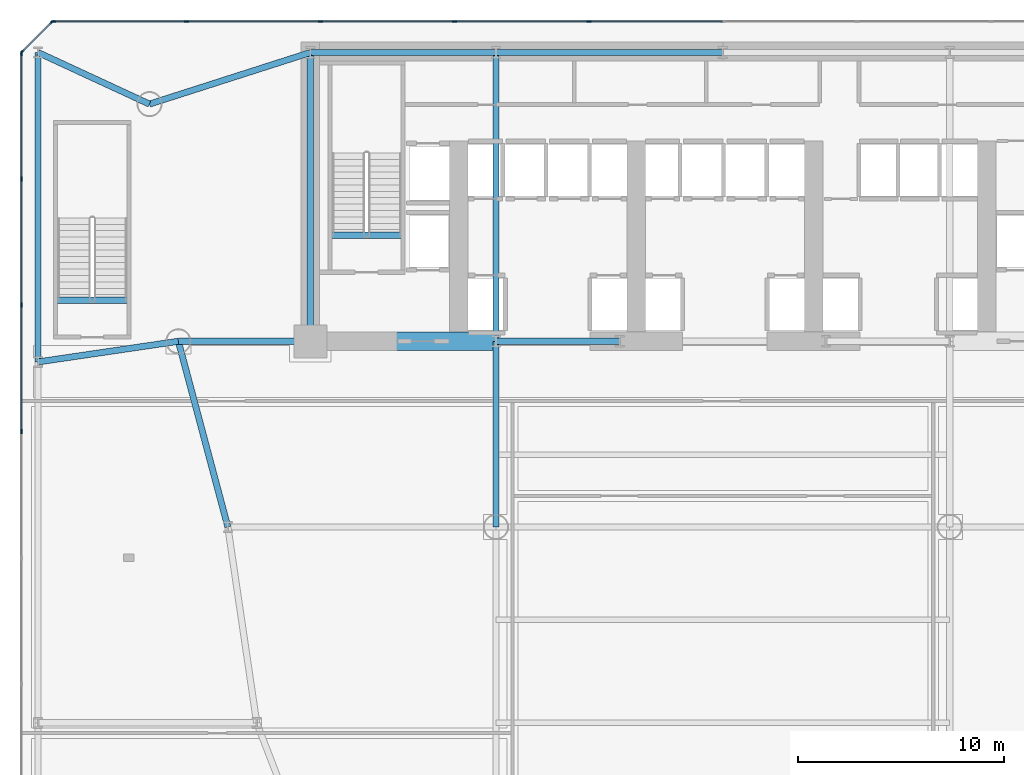
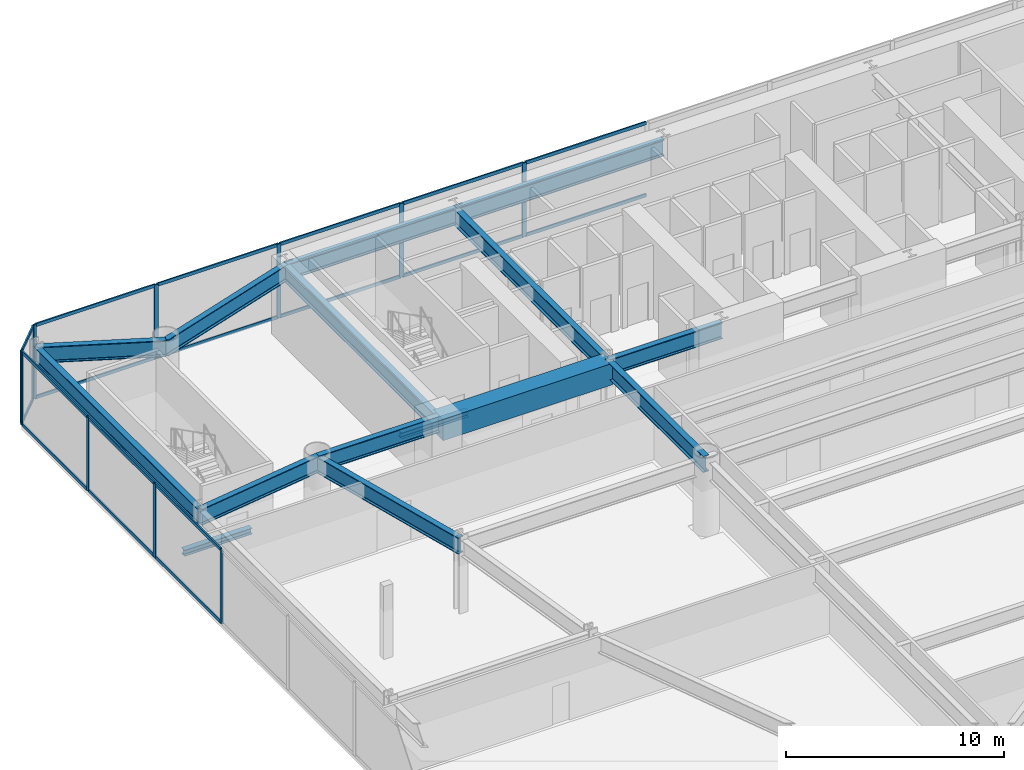
# One storey, part 7 of 24: 29 members, 15 beams, 3 elements without a shape of their own.
"""IFC4 building model written with IfcOpenShell, lengths in metres."""

import ifcopenshell
import ifcopenshell.guid

model = None  # the IFC model being written
_history = None  # IfcOwnerHistory: only IFC2X3 demands one
_inside = {}  # id of a spatial element -> (the spatial element, [elements in it])
_under = {}  # id of a project, library or spatial element -> (it, [spatial elements below it])
_declared = {}  # id of a project -> (the project, [libraries it declares])
_typed = {}  # id of a type object -> (the type object, [elements of that type])
_made_of = {}  # id of a material, layer set ... -> (it, [elements and type objects made of it])


def new_model(schema):
    """Start an empty IFC model of exactly this schema.

    Asked for "IFC4X3", IfcOpenShell would pick the latest addendum, in which some entities
    have other attributes; the version numbers below select the first issue.
    IFC2X3 requires an IfcOwnerHistory on every rooted entity: one is made here for all.
    """
    global model, _history
    if schema == "IFC4X3":
        model = ifcopenshell.file(schema_version=(4, 3, 0, 0))
    else:
        model = ifcopenshell.file(schema=schema)
    _inside.clear()
    _under.clear()
    _declared.clear()
    _typed.clear()
    _made_of.clear()
    _history = None
    if model.schema == "IFC2X3":
        org = make("IfcOrganization", Name="unknown")
        user = make(
            "IfcPersonAndOrganization",
            ThePerson=make("IfcPerson", FamilyName="unknown"),
            TheOrganization=org,
        )
        app = make(
            "IfcApplication",
            ApplicationDeveloper=org,
            Version="unknown",
            ApplicationFullName="unknown",
            ApplicationIdentifier="unknown",
        )
        _history = make(
            "IfcOwnerHistory",
            OwningUser=user,
            OwningApplication=app,
            ChangeAction="ADDED",
            CreationDate=0,
        )
    return model


def make(cls, **values):
    """One entity of the class cls with the attributes given. An attribute that is None is left unset."""
    return model.create_entity(
        cls, **{name: value for name, value in values.items() if value is not None}
    )


def rooted(cls, **values):
    """An entity with a GlobalId (a new one), such as an element, a storey or a relation."""
    return make(cls, GlobalId=ifcopenshell.guid.new(), OwnerHistory=_history, **values)


def si_unit(unit_type, name, prefix=None):
    """IfcSIUnit, for example si_unit("LENGTHUNIT", "METRE", prefix="MILLI")."""
    return make("IfcSIUnit", UnitType=unit_type, Prefix=prefix, Name=name)


def assignment(units):
    """IfcUnitAssignment: the units of a project."""
    return None if units is None else make("IfcUnitAssignment", Units=units)


def point(xyz):
    """IfcCartesianPoint."""
    return None if xyz is None else make("IfcCartesianPoint", Coordinates=xyz)


def direction(xyz):
    """IfcDirection."""
    return None if xyz is None else make("IfcDirection", DirectionRatios=xyz)


def frame(location, z_axis=None, x_axis=None):
    """IfcAxis2Placement3D, a coordinate frame: its origin and axes. An axis left out is left unset."""
    return make(
        "IfcAxis2Placement3D",
        Location=point(location),
        Axis=direction(z_axis),
        RefDirection=direction(x_axis),
    )


def frame_2d(location, x_axis=None):
    """IfcAxis2Placement2D, a coordinate frame in the plane: its origin and x axis."""
    return make(
        "IfcAxis2Placement2D", Location=point(location), RefDirection=direction(x_axis)
    )


def origin():
    """The frame at (0, 0, 0) with its axes left unset."""
    return frame((0.0, 0.0, 0.0))


def origin_2d():
    """The frame at (0, 0) in the plane with its x axis left unset."""
    return frame_2d((0.0, 0.0))


def place(relative_to, where):
    """IfcLocalPlacement: puts the frame where relative to a parent placement (None: the world)."""
    return make(
        "IfcLocalPlacement", PlacementRelTo=relative_to, RelativePlacement=where
    )


def context(
    kind, dimensions, precision=None, world=None, true_north=None, identifier=None
):
    """IfcGeometricRepresentationContext, for example the 3D "Model" context."""
    return make(
        "IfcGeometricRepresentationContext",
        ContextIdentifier=identifier,
        ContextType=kind,
        CoordinateSpaceDimension=dimensions,
        Precision=precision,
        WorldCoordinateSystem=world,
        TrueNorth=true_north,
    )


def subcontext(parent, identifier, kind, view, scale=None):
    """IfcGeometricRepresentationSubContext, for example "Body" below "Model"."""
    return make(
        "IfcGeometricRepresentationSubContext",
        ContextIdentifier=identifier,
        ContextType=kind,
        ParentContext=parent,
        TargetScale=scale,
        TargetView=view,
    )


def project(units=None, contexts=None):
    """IfcProject with its units and contexts."""
    return rooted(
        "IfcProject",
        Name="project",
        RepresentationContexts=contexts,
        UnitsInContext=assignment(units),
    )


def spatial(cls, under=None, at=None, **own):
    """A site, building, storey or space (cls), placed at a placement, below another one or the project."""
    s = rooted(cls, ObjectPlacement=at, **own)
    if under is not None:
        _under.setdefault(under.id(), (under, []))[1].append(s)
    return s


def profile(cls, at=None, kind="AREA", **sizes):
    """A parametric profile (cls). Its sizes go by their IFC names, for example OverallWidth=200.0."""
    return make(cls, ProfileType=kind, Position=at, **sizes)


def rectangle(**sizes):
    """IfcRectangleProfileDef."""
    return profile("IfcRectangleProfileDef", **sizes)


def i_section(**sizes):
    """IfcIShapeProfileDef."""
    return profile("IfcIShapeProfileDef", **sizes)


def extrude(swept, where, along, depth):
    """IfcExtrudedAreaSolid: the profile swept, set in the frame where, extruded along a direction by depth."""
    return make(
        "IfcExtrudedAreaSolid",
        SweptArea=swept,
        Position=where,
        ExtrudedDirection=direction(along),
        Depth=depth,
    )


def shape(context_of_items, identifier, shape_type, items):
    """IfcShapeRepresentation: the items that make up one representation, for example the "Body"."""
    return make(
        "IfcShapeRepresentation",
        ContextOfItems=context_of_items,
        RepresentationIdentifier=identifier,
        RepresentationType=shape_type,
        Items=items,
    )


def source(mapping_origin, context_of_items, identifier, shape_type, items):
    """IfcRepresentationMap: a shape defined once, which mapped items show again and again."""
    return make(
        "IfcRepresentationMap",
        MappingOrigin=mapping_origin,
        MappedRepresentation=shape(context_of_items, identifier, shape_type, items),
    )


def transform(
    local_origin,
    x_axis=None,
    y_axis=None,
    z_axis=None,
    scale=None,
    scale2=None,
    scale3=None,
    uniform=True,
):
    """IfcCartesianTransformationOperator3D, or its non-uniform kind. x_axis, y_axis, z_axis: its Axis1, 2, 3."""
    if uniform:
        return make(
            "IfcCartesianTransformationOperator3D",
            Axis1=direction(x_axis),
            Axis2=direction(y_axis),
            LocalOrigin=point(local_origin),
            Scale=scale,
            Axis3=direction(z_axis),
        )
    return make(
        "IfcCartesianTransformationOperator3DnonUniform",
        Axis1=direction(x_axis),
        Axis2=direction(y_axis),
        LocalOrigin=point(local_origin),
        Scale=scale,
        Axis3=direction(z_axis),
        Scale2=scale2,
        Scale3=scale3,
    )


def mapped(mapping_source, mapping_target):
    """IfcMappedItem: shows the shape of a source again, moved by a transform."""
    return make(
        "IfcMappedItem", MappingSource=mapping_source, MappingTarget=mapping_target
    )


def material(Name=None, Category=None):
    """IfcMaterial."""
    return make("IfcMaterial", Name=Name, Category=Category)


def layer(
    of_material, thickness, ventilated=None, Name=None, Category=None, Priority=None
):
    """IfcMaterialLayer: one layer of a wall or slab, of a material (None: an air gap)."""
    return make(
        "IfcMaterialLayer",
        Material=of_material,
        LayerThickness=thickness,
        IsVentilated=ventilated,
        Name=Name,
        Category=Category,
        Priority=Priority,
    )


def layer_set(layers, Name=None):
    """IfcMaterialLayerSet."""
    return make("IfcMaterialLayerSet", MaterialLayers=layers, LayerSetName=Name)


def material_profile(
    of_material, cross_section, Name=None, Category=None, Priority=None
):
    """IfcMaterialProfile: a cross section and its material."""
    return make(
        "IfcMaterialProfile",
        Name=Name,
        Material=of_material,
        Profile=cross_section,
        Priority=Priority,
        Category=Category,
    )


def profile_set(profiles, Name=None, composite=None):
    """IfcMaterialProfileSet."""
    return make(
        "IfcMaterialProfileSet",
        Name=Name,
        MaterialProfiles=profiles,
        CompositeProfile=composite,
    )


def made_of(thing, what):
    """Note that an element or type object is made of a material, layer set ...; save() writes the relation."""
    if what is not None:
        _made_of.setdefault(what.id(), (what, []))[1].append(thing)
    return thing


def type_object(cls, material=None, **own):
    """A type object (cls), such as IfcWallType, which elements share."""
    return made_of(rooted(cls, **own), material)


def element(
    cls,
    number,
    at=None,
    inside=None,
    cuts=None,
    type_object=None,
    material=None,
    context=None,
    identifier="Body",
    shape_type=None,
    held_by="IfcProductDefinitionShape",
    body=None,
    shapes=None,
    **own,
):
    """One element of the class cls, such as IfcWall. Its Tag is "e" and its number.

    at: its placement. inside: the storey or other place that contains it. cuts: it is an
    opening in that element (IfcRelVoidsElement). A single representation is given by context,
    identifier, shape_type and body (its items); several are given by shapes. held_by: the class
    of the entity that holds the representations. save() writes the other relations.
    """
    e = rooted(cls, Tag="e%d" % number, ObjectPlacement=at, **own)
    if body is not None:
        shapes = [shape(context, identifier, shape_type, body)]
    if shapes is not None:
        e.Representation = make(held_by, Representations=shapes)
    if inside is not None:
        _inside.setdefault(inside.id(), (inside, []))[1].append(e)
    if cuts is not None:
        rooted(
            "IfcRelVoidsElement", RelatingBuildingElement=cuts, RelatedOpeningElement=e
        )
    if type_object is not None:
        _typed.setdefault(type_object.id(), (type_object, []))[1].append(e)
    return made_of(e, material)


def aggregate(whole, parts):
    """IfcRelAggregates: a whole, such as a stair, and the parts it consists of."""
    return rooted("IfcRelAggregates", RelatingObject=whole, RelatedObjects=parts)


def save(model, path):
    """Write the relations noted so far, then the file.

    IfcRelAggregates (storeys below a building ...), IfcRelContainedInSpatialStructure (elements
    in a storey), IfcRelDefinesByType, IfcRelAssociatesMaterial and IfcRelDeclares: one each for
    every whole, place, type object, material and project.
    """
    for whole, parts in _under.values():
        aggregate(whole, parts)
    for where, things in _inside.values():
        rooted(
            "IfcRelContainedInSpatialStructure",
            RelatedElements=things,
            RelatingStructure=where,
        )
    for kind, things in _typed.values():
        rooted("IfcRelDefinesByType", RelatedObjects=things, RelatingType=kind)
    for what, things in _made_of.values():
        rooted("IfcRelAssociatesMaterial", RelatedObjects=things, RelatingMaterial=what)
    for by, libraries in _declared.values():
        rooted("IfcRelDeclares", RelatingContext=by, RelatedDefinitions=libraries)
    model.write(path)


model = new_model("IFC4")

# Units and contexts
model_context = context("Model", 3, precision=1e-05, world=origin(), true_north=direction((0.0, 1.0)))
body_context = subcontext(model_context, "Body", "Model", "MODEL_VIEW")
ifc_project = project(units=[si_unit("LENGTHUNIT", "METRE"), si_unit("AREAUNIT", "SQUARE_METRE"), si_unit("VOLUMEUNIT", "CUBIC_METRE"), si_unit("PLANEANGLEUNIT", "RADIAN"), si_unit("MASSUNIT", "GRAM", prefix="KILO")], contexts=[model_context])

# Site, building, storey
site_placement = place(None, origin())
site = spatial("IfcSite", under=ifc_project, at=site_placement, CompositionType="ELEMENT")
building_placement = place(site_placement, origin())
building = spatial("IfcBuilding", under=site, at=building_placement, Name="Vaeldorn Concourse Tower", CompositionType="ELEMENT")
storey_placement = place(building_placement, frame((0.0, 0.0, 10.0)))
storey = spatial("IfcBuildingStorey", under=building, at=storey_placement, Name="L02", CompositionType="ELEMENT", Elevation=10.0)

# Beams
ifc_material_1 = material(Name="Concrete C60/75", Category="concrete")
ifc_material_profile_1 = material_profile(ifc_material_1, rectangle(XDim=0.89990234375, YDim=1.199951171875, at=origin_2d()), Name="RC 900x1200")
ifc_profile_set_1 = profile_set([ifc_material_profile_1], Name="Concrete C60/75")
beam_type_1 = type_object("IfcBeamType", Name="BM-CB-RC900", PredefinedType="BEAM", material=ifc_profile_set_1)
shared_shape_1 = source(origin(), body_context, "Body", "SweptSolid", [
    extrude(rectangle(XDim=0.89990234375, YDim=1.199951171875, at=origin_2d()), origin(), (0.0, 0.0, 1.0), 9.0),
])
beam_1_placement = place(storey_placement, frame((14.0, 36.5, 3.52001953125), z_axis=(1.0, 0.0, 0.0), x_axis=(0.0, 1.0, 0.0)))
element("IfcBeam", 1, at=beam_1_placement, inside=storey, type_object=beam_type_1, Name="Core Coupling Beam L02-1", PredefinedType="BEAM", context=body_context, shape_type="MappedRepresentation", body=[
    mapped(shared_shape_1, transform((0.0, 0.0, 0.0), scale=1.0)),
])
ifc_material_2 = material(Name="Steel S355", Category="steel")
ifc_material_profile_2 = material_profile(ifc_material_2, i_section(OverallWidth=0.300048828125, OverallDepth=0.340087890625, WebThickness=0.011962890625, FlangeThickness=0.021484375, FilletRadius=0.027099609375, at=origin_2d()), Name="HEB 340")
ifc_profile_set_2 = profile_set([ifc_material_profile_2], Name="Steel S355")
beam_type_2 = type_object("IfcBeamType", Name="BM-ST-TRIM", PredefinedType="BEAM", material=ifc_profile_set_2)
shared_shape_2 = source(origin(), body_context, "Body", "SweptSolid", [
    extrude(i_section(OverallWidth=0.300048828125, OverallDepth=0.340087890625, WebThickness=0.011962890625, FlangeThickness=0.021484375, FilletRadius=0.027099609375, at=origin_2d()), origin(), (0.0, 0.0, 1.0), 3.590087890625),
])
for number, where, z_axis, x_axis, name in (
    (2, (14.929931640625, 41.639892578125, -0.449951171875), (1.0, 0.0, 0.0), (0.0, 1.0, 0.0), "Stair Landing Trimmer Beam ST-1 L02"),
    (3, (1.6298828125, 38.489990234375, -0.449951171875), (1.0, 0.0, 0.0), (0.0, 1.0, 0.0), "Stair Landing Trimmer Beam ST-3 L02"),
):
    element("IfcBeam", number, at=place(storey_placement, frame(where, z_axis=z_axis, x_axis=x_axis)), inside=storey, type_object=beam_type_2, Name=name, PredefinedType="BEAM", context=body_context, shape_type="MappedRepresentation", body=[
        mapped(shared_shape_2, transform((0.0, 0.0, 0.0), scale=1.0)),
    ])
ifc_material_profile_3 = material_profile(ifc_material_2, i_section(OverallWidth=0.302001953125, OverallDepth=0.909912109375, WebThickness=0.02099609375, FlangeThickness=0.0400390625, FilletRadius=0.030029296875, at=origin_2d()), Name="HEM 900")
ifc_profile_set_3 = profile_set([ifc_material_profile_3], Name="Steel S355")
beam_type_3 = type_object("IfcBeamType", Name="BM-PG-HEM900", PredefinedType="BEAM", material=ifc_profile_set_3)
shared_shape_3 = source(origin(), body_context, "Body", "SweptSolid", [
    extrude(i_section(OverallWidth=0.302001953125, OverallDepth=0.909912109375, WebThickness=0.02099609375, FlangeThickness=0.0400390625, FilletRadius=0.030029296875, at=origin_2d()), origin(), (0.0, 0.0, 1.0), 6.0),
])
beam_2_placement = place(storey_placement, frame((23.0, 36.5, 3.6650390625), z_axis=(1.0, 0.0, 0.0), x_axis=(0.0, 1.0, 0.0)))
element("IfcBeam", 4, at=beam_2_placement, inside=storey, type_object=beam_type_3, Name="Beam BM-L02-C-FC2-C-FC3", PredefinedType="BEAM", context=body_context, shape_type="MappedRepresentation", body=[
    mapped(shared_shape_3, transform((0.0, 0.0, 0.0), scale=1.0)),
])
shared_shape_4 = source(origin(), body_context, "Body", "SweptSolid", [
    extrude(i_section(OverallWidth=0.302001953125, OverallDepth=0.909912109375, WebThickness=0.02099609375, FlangeThickness=0.0400390625, FilletRadius=0.030029296875, at=origin_2d()), origin(), (0.0, 0.0, 1.0), 9.0),
])
for number, where, z_axis, x_axis, name in (
    (5, (14.0, 50.5, 3.6650390625), (1.0, 0.0, 0.0), (0.0, 1.0, 0.0), "Beam BM-L02-C-HC1-C-HC2"),
    (6, (23.0, 27.5, 3.6650390625), (0.0, 1.0, 0.0), (-1.0, 0.0, 0.0), "Beam BM-L02-C-TW1-C-FC2"),
):
    element("IfcBeam", number, at=place(storey_placement, frame(where, z_axis=z_axis, x_axis=x_axis)), inside=storey, type_object=beam_type_3, Name=name, PredefinedType="BEAM", context=body_context, shape_type="MappedRepresentation", body=[
        mapped(shared_shape_4, transform((0.0, 0.0, 0.0), scale=1.0)),
    ])
shared_shape_5 = source(origin(), body_context, "Body", "SweptSolid", [
    extrude(i_section(OverallWidth=0.302001953125, OverallDepth=0.909912109375, WebThickness=0.02099609375, FlangeThickness=0.0400390625, FilletRadius=0.030029296875, at=origin_2d()), origin(), (0.0, 0.0, 1.0), 11.0),
])
beam_3_placement = place(storey_placement, frame((23.0, 50.5, 3.6650390625), z_axis=(1.0, 0.0, 0.0), x_axis=(0.0, 1.0, 0.0)))
element("IfcBeam", 7, at=beam_3_placement, inside=storey, type_object=beam_type_3, Name="Beam BM-L02-C-HC2-C-HC3", PredefinedType="BEAM", context=body_context, shape_type="MappedRepresentation", body=[
    mapped(shared_shape_5, transform((0.0, 0.0, 0.0), scale=1.0)),
])
shared_shape_6 = source(origin(), body_context, "Body", "SweptSolid", [
    extrude(i_section(OverallWidth=0.302001953125, OverallDepth=0.909912109375, WebThickness=0.02099609375, FlangeThickness=0.0400390625, FilletRadius=0.030029296875, at=origin_2d()), origin(), (0.0, 0.0, 1.0), 14.0),
])
for number, where, z_axis, x_axis, name in (
    (8, (14.0, 36.5, 3.6650390625), (0.0, 1.0, 0.0), (-1.0, 0.0, 0.0), "Beam BM-L02-C-FC1-C-HC1"),
    (9, (23.0, 36.5, 3.6650390625), (0.0, 1.0, 0.0), (-1.0, 0.0, 0.0), "Beam BM-L02-C-FC2-C-HC2"),
):
    element("IfcBeam", number, at=place(storey_placement, frame(where, z_axis=z_axis, x_axis=x_axis)), inside=storey, type_object=beam_type_3, Name=name, PredefinedType="BEAM", context=body_context, shape_type="MappedRepresentation", body=[
        mapped(shared_shape_6, transform((0.0, 0.0, 0.0), scale=1.0)),
    ])
shared_shape_7 = source(origin(), body_context, "Body", "SweptSolid", [
    extrude(i_section(OverallWidth=0.302001953125, OverallDepth=0.909912109375, WebThickness=0.02099609375, FlangeThickness=0.0400390625, FilletRadius=0.030029296875, at=origin_2d()), origin(), (0.0, 0.0, 1.0), 15.0),
])
beam_4_placement = place(storey_placement, frame((0.800048828125, 35.5, 3.6650390625), z_axis=(0.0, 1.0, 0.0), x_axis=(-1.0, 0.0, 0.0)))
element("IfcBeam", 10, at=beam_4_placement, inside=storey, type_object=beam_type_3, Name="Beam BM-L02-C-PW3-C-PW4", PredefinedType="BEAM", context=body_context, shape_type="MappedRepresentation", body=[
    mapped(shared_shape_7, transform((0.0, 0.0, 0.0), scale=1.0)),
])
shared_shape_8 = source(origin(), body_context, "Body", "SweptSolid", [
    extrude(i_section(OverallWidth=0.302001953125, OverallDepth=0.909912109375, WebThickness=0.02099609375, FlangeThickness=0.0400390625, FilletRadius=0.030029296875, at=origin_2d()), origin(), (0.0, 0.0, 1.0), 6.873291015625),
])
beam_5_placement = place(storey_placement, frame((0.800048828125, 35.5, 3.6650390625), z_axis=(0.989359285749, 0.145492967882, 0.0), x_axis=(-0.145492967882, 0.989359285749, 0.0)))
element("IfcBeam", 11, at=beam_5_placement, inside=storey, type_object=beam_type_3, Name="Beam BM-L02-C-PW3-C-NW2", PredefinedType="BEAM", context=body_context, shape_type="MappedRepresentation", body=[
    mapped(shared_shape_8, transform((0.0, 0.0, 0.0), scale=1.0)),
])
shared_shape_9 = source(origin(), body_context, "Body", "SweptSolid", [
    extrude(i_section(OverallWidth=0.302001953125, OverallDepth=0.909912109375, WebThickness=0.02099609375, FlangeThickness=0.0400390625, FilletRadius=0.030029296875, at=origin_2d()), origin(), (0.0, 0.0, 1.0), 6.39990234375),
])
beam_6_placement = place(storey_placement, frame((7.60009765625, 36.5, 3.6650390625), z_axis=(1.0, 0.0, 0.0), x_axis=(0.0, 1.0, 0.0)))
element("IfcBeam", 12, at=beam_6_placement, inside=storey, type_object=beam_type_3, Name="Beam BM-L02-C-NW2-C-FC1", PredefinedType="BEAM", context=body_context, shape_type="MappedRepresentation", body=[
    mapped(shared_shape_9, transform((0.0, 0.0, 0.0), scale=1.0)),
])
shared_shape_10 = source(origin(), body_context, "Body", "SweptSolid", [
    extrude(i_section(OverallWidth=0.302001953125, OverallDepth=0.909912109375, WebThickness=0.02099609375, FlangeThickness=0.0400390625, FilletRadius=0.030029296875, at=origin_2d()), origin(), (0.0, 0.0, 1.0), 5.950439453125),
])
beam_7_placement = place(storey_placement, frame((0.800048828125, 50.5, 3.6650390625), z_axis=(0.907464010437, -0.420129824888, 0.0), x_axis=(0.420129824888, 0.907464010437, 0.0)))
element("IfcBeam", 13, at=beam_7_placement, inside=storey, type_object=beam_type_3, Name="Beam BM-L02-C-PW4-C-NW1", PredefinedType="BEAM", context=body_context, shape_type="MappedRepresentation", body=[
    mapped(shared_shape_10, transform((0.0, 0.0, 0.0), scale=1.0)),
])
shared_shape_11 = source(origin(), body_context, "Body", "SweptSolid", [
    extrude(i_section(OverallWidth=0.302001953125, OverallDepth=0.909912109375, WebThickness=0.02099609375, FlangeThickness=0.0400390625, FilletRadius=0.030029296875, at=origin_2d()), origin(), (0.0, 0.0, 1.0), 8.19091796875),
])
beam_8_placement = place(storey_placement, frame((6.199951171875, 48.0, 3.6650390625), z_axis=(0.952282843383, 0.305216949396, 0.0), x_axis=(-0.305216949396, 0.952282843383, 0.0)))
element("IfcBeam", 14, at=beam_8_placement, inside=storey, type_object=beam_type_3, Name="Beam BM-L02-C-NW1-C-HC1", PredefinedType="BEAM", context=body_context, shape_type="MappedRepresentation", body=[
    mapped(shared_shape_11, transform((0.0, 0.0, 0.0), scale=1.0)),
])
shared_shape_12 = source(origin(), body_context, "Body", "SweptSolid", [
    extrude(i_section(OverallWidth=0.302001953125, OverallDepth=0.909912109375, WebThickness=0.02099609375, FlangeThickness=0.0400390625, FilletRadius=0.030029296875, at=origin_2d()), origin(), (0.0, 0.0, 1.0), 9.314453125),
])
beam_9_placement = place(storey_placement, frame((7.60009765625, 36.5, 3.6650390625), z_axis=(0.257652862255, -0.966237549763, 0.0), x_axis=(0.966237549763, 0.257652862255, 0.0)))
element("IfcBeam", 15, at=beam_9_placement, inside=storey, type_object=beam_type_3, Name="Beam BM-L02-C-NW2-C-FLW1", PredefinedType="BEAM", context=body_context, shape_type="MappedRepresentation", body=[
    mapped(shared_shape_12, transform((0.0, 0.0, 0.0), scale=1.0)),
])

# Curtain wall, members
ifc_material_3 = material(Name="Anodised Bronze Aluminium", Category="aluminium")
ifc_layer = layer(ifc_material_3, 0.239990234375)
ifc_layer_set = layer_set([ifc_layer], Name="Anodised Bronze Aluminium")
curtain_wall_type = type_object("IfcCurtainWallType", Name="CW-SYS-04", PredefinedType="NOTDEFINED", material=ifc_layer_set)
curtain_wall_1_placement = place(storey_placement, origin())
curtain_wall_1 = element("IfcCurtainWall", 16, at=curtain_wall_1_placement, inside=storey, type_object=curtain_wall_type, Name="Unitised Curtain Wall CW-L02-E05-1", PredefinedType="NOTDEFINED")
ifc_material_profile_4 = material_profile(ifc_material_3, rectangle(XDim=0.074951171875, YDim=0.179931640625, at=origin_2d()), Name="CWT 75x180")
ifc_profile_set_4 = profile_set([ifc_material_profile_4], Name="Anodised Bronze Aluminium")
member_type_1 = type_object("IfcMemberType", Name="CWT-BRONZE-180", PredefinedType="USERDEFINED", material=ifc_profile_set_4)
shared_shape_13 = source(origin(), body_context, "Body", "SweptSolid", [
    extrude(rectangle(XDim=0.074951171875, YDim=0.179931640625, at=origin_2d()), origin(), (0.0, 0.0, 1.0), 6.387451171875),
])
member_1_placement = place(storey_placement, frame((7.96240234375, 52.0, 0.03759765625), z_axis=(-1.0, 0.0, 0.0), x_axis=(0.0, -1.0, 0.0)))
member_1 = element("IfcMember", 17, at=member_1_placement, type_object=member_type_1, Name="CW-04 transom 10.1", ObjectType="TRANSOM", PredefinedType="USERDEFINED", context=body_context, shape_type="MappedRepresentation", body=[
    mapped(shared_shape_13, transform((0.0, 0.0, 0.0), scale=1.0)),
])
member_2_placement = place(storey_placement, frame((7.96240234375, 52.0, 4.08251953125), z_axis=(-1.0, 0.0, 0.0), x_axis=(0.0, -1.0, 0.0)))
member_2 = element("IfcMember", 18, at=member_2_placement, type_object=member_type_1, Name="CW-04 transom 10.2", ObjectType="TRANSOM", PredefinedType="USERDEFINED", context=body_context, shape_type="MappedRepresentation", body=[
    mapped(shared_shape_13, transform((0.0, 0.0, 0.0), scale=1.0)),
])
shared_shape_14 = source(origin(), body_context, "Body", "SweptSolid", [
    extrude(rectangle(XDim=0.074951171875, YDim=0.179931640625, at=origin_2d()), origin(), (0.0, 0.0, 1.0), 6.4248046875),
])
member_3_placement = place(storey_placement, frame((33.96240234375, 52.0, 0.03759765625), z_axis=(-1.0, 0.0, 0.0), x_axis=(0.0, -1.0, 0.0)))
member_3 = element("IfcMember", 19, at=member_3_placement, type_object=member_type_1, Name="CW-04 transom 6.1", ObjectType="TRANSOM", PredefinedType="USERDEFINED", context=body_context, shape_type="MappedRepresentation", body=[
    mapped(shared_shape_14, transform((0.0, 0.0, 0.0), scale=1.0)),
])
member_4_placement = place(storey_placement, frame((33.96240234375, 52.0, 4.08251953125), z_axis=(-1.0, 0.0, 0.0), x_axis=(0.0, -1.0, 0.0)))
member_4 = element("IfcMember", 20, at=member_4_placement, type_object=member_type_1, Name="CW-04 transom 6.2", ObjectType="TRANSOM", PredefinedType="USERDEFINED", context=body_context, shape_type="MappedRepresentation", body=[
    mapped(shared_shape_14, transform((0.0, 0.0, 0.0), scale=1.0)),
])
member_5_placement = place(storey_placement, frame((27.46240234375, 52.0, 0.03759765625), z_axis=(-1.0, 0.0, 0.0), x_axis=(0.0, -1.0, 0.0)))
member_5 = element("IfcMember", 21, at=member_5_placement, type_object=member_type_1, Name="CW-04 transom 7.1", ObjectType="TRANSOM", PredefinedType="USERDEFINED", context=body_context, shape_type="MappedRepresentation", body=[
    mapped(shared_shape_14, transform((0.0, 0.0, 0.0), scale=1.0)),
])
member_6_placement = place(storey_placement, frame((27.46240234375, 52.0, 4.08251953125), z_axis=(-1.0, 0.0, 0.0), x_axis=(0.0, -1.0, 0.0)))
member_6 = element("IfcMember", 22, at=member_6_placement, type_object=member_type_1, Name="CW-04 transom 7.2", ObjectType="TRANSOM", PredefinedType="USERDEFINED", context=body_context, shape_type="MappedRepresentation", body=[
    mapped(shared_shape_14, transform((0.0, 0.0, 0.0), scale=1.0)),
])
member_7_placement = place(storey_placement, frame((20.96240234375, 52.0, 0.03759765625), z_axis=(-1.0, 0.0, 0.0), x_axis=(0.0, -1.0, 0.0)))
member_7 = element("IfcMember", 23, at=member_7_placement, type_object=member_type_1, Name="CW-04 transom 8.1", ObjectType="TRANSOM", PredefinedType="USERDEFINED", context=body_context, shape_type="MappedRepresentation", body=[
    mapped(shared_shape_14, transform((0.0, 0.0, 0.0), scale=1.0)),
])
member_8_placement = place(storey_placement, frame((20.96240234375, 52.0, 4.08251953125), z_axis=(-1.0, 0.0, 0.0), x_axis=(0.0, -1.0, 0.0)))
member_8 = element("IfcMember", 24, at=member_8_placement, type_object=member_type_1, Name="CW-04 transom 8.2", ObjectType="TRANSOM", PredefinedType="USERDEFINED", context=body_context, shape_type="MappedRepresentation", body=[
    mapped(shared_shape_14, transform((0.0, 0.0, 0.0), scale=1.0)),
])
member_9_placement = place(storey_placement, frame((14.46240234375, 52.0, 0.03759765625), z_axis=(-1.0, 0.0, 0.0), x_axis=(0.0, -1.0, 0.0)))
member_9 = element("IfcMember", 25, at=member_9_placement, type_object=member_type_1, Name="CW-04 transom 9.1", ObjectType="TRANSOM", PredefinedType="USERDEFINED", context=body_context, shape_type="MappedRepresentation", body=[
    mapped(shared_shape_14, transform((0.0, 0.0, 0.0), scale=1.0)),
])
member_10_placement = place(storey_placement, frame((14.46240234375, 52.0, 4.08251953125), z_axis=(-1.0, 0.0, 0.0), x_axis=(0.0, -1.0, 0.0)))
member_10 = element("IfcMember", 26, at=member_10_placement, type_object=member_type_1, Name="CW-04 transom 9.2", ObjectType="TRANSOM", PredefinedType="USERDEFINED", context=body_context, shape_type="MappedRepresentation", body=[
    mapped(shared_shape_14, transform((0.0, 0.0, 0.0), scale=1.0)),
])

curtain_wall_2_placement = place(storey_placement, origin())
curtain_wall_2 = element("IfcCurtainWall", 27, at=curtain_wall_2_placement, inside=storey, type_object=curtain_wall_type, Name="Unitised Curtain Wall CW-L02-E06-1", PredefinedType="NOTDEFINED")
shared_shape_15 = source(origin(), body_context, "Body", "SweptSolid", [
    extrude(rectangle(XDim=0.074951171875, YDim=0.179931640625, at=origin_2d()), origin(), (0.0, 0.0, 1.0), 1.971435546875),
])
member_11_placement = place(storey_placement, frame((1.447021484375, 51.947021484375, 0.03759765625), z_axis=(-0.707106781187, -0.707106781187, 0.0), x_axis=(0.707106781187, -0.707106781187, 0.0)))
member_11 = element("IfcMember", 28, at=member_11_placement, type_object=member_type_1, Name="CW-04 transom 1.1", ObjectType="TRANSOM", PredefinedType="USERDEFINED", context=body_context, shape_type="MappedRepresentation", body=[
    mapped(shared_shape_15, transform((0.0, 0.0, 0.0), scale=1.0)),
])
member_12_placement = place(storey_placement, frame((1.447021484375, 51.947021484375, 4.08251953125), z_axis=(-0.707106781187, -0.707106781187, 0.0), x_axis=(0.707106781187, -0.707106781187, 0.0)))
member_12 = element("IfcMember", 29, at=member_12_placement, type_object=member_type_1, Name="CW-04 transom 1.2", ObjectType="TRANSOM", PredefinedType="USERDEFINED", context=body_context, shape_type="MappedRepresentation", body=[
    mapped(shared_shape_15, transform((0.0, 0.0, 0.0), scale=1.0)),
])

curtain_wall_3_placement = place(storey_placement, origin())
curtain_wall_3 = element("IfcCurtainWall", 30, at=curtain_wall_3_placement, inside=storey, type_object=curtain_wall_type, Name="Unitised Curtain Wall CW-L02-E07-1", PredefinedType="NOTDEFINED")
shared_shape_16 = source(origin(), body_context, "Body", "SweptSolid", [
    extrude(rectangle(XDim=0.074951171875, YDim=0.179931640625, at=origin_2d()), origin(), (0.0, 0.0, 1.0), 6.012451171875),
])
member_13_placement = place(storey_placement, frame((0.0, 50.425048828125, 0.03759765625), z_axis=(0.0, -1.0, 0.0), x_axis=(1.0, 0.0, 0.0)))
member_13 = element("IfcMember", 31, at=member_13_placement, type_object=member_type_1, Name="CW-04 transom 1.1", ObjectType="TRANSOM", PredefinedType="USERDEFINED", context=body_context, shape_type="MappedRepresentation", body=[
    mapped(shared_shape_16, transform((0.0, 0.0, 0.0), scale=1.0)),
])
member_14_placement = place(storey_placement, frame((0.0, 50.425048828125, 4.08251953125), z_axis=(0.0, -1.0, 0.0), x_axis=(1.0, 0.0, 0.0)))
member_14 = element("IfcMember", 32, at=member_14_placement, type_object=member_type_1, Name="CW-04 transom 1.2", ObjectType="TRANSOM", PredefinedType="USERDEFINED", context=body_context, shape_type="MappedRepresentation", body=[
    mapped(shared_shape_16, transform((0.0, 0.0, 0.0), scale=1.0)),
])
shared_shape_17 = source(origin(), body_context, "Body", "SweptSolid", [
    extrude(rectangle(XDim=0.074951171875, YDim=0.179931640625, at=origin_2d()), origin(), (0.0, 0.0, 1.0), 6.0498046875),
])
member_15_placement = place(storey_placement, frame((0.0, 44.33740234375, 0.03759765625), z_axis=(0.0, -1.0, 0.0), x_axis=(1.0, 0.0, 0.0)))
member_15 = element("IfcMember", 33, at=member_15_placement, type_object=member_type_1, Name="CW-04 transom 2.1", ObjectType="TRANSOM", PredefinedType="USERDEFINED", context=body_context, shape_type="MappedRepresentation", body=[
    mapped(shared_shape_17, transform((0.0, 0.0, 0.0), scale=1.0)),
])
member_16_placement = place(storey_placement, frame((0.0, 44.33740234375, 4.08251953125), z_axis=(0.0, -1.0, 0.0), x_axis=(1.0, 0.0, 0.0)))
member_16 = element("IfcMember", 34, at=member_16_placement, type_object=member_type_1, Name="CW-04 transom 2.2", ObjectType="TRANSOM", PredefinedType="USERDEFINED", context=body_context, shape_type="MappedRepresentation", body=[
    mapped(shared_shape_17, transform((0.0, 0.0, 0.0), scale=1.0)),
])
member_17_placement = place(storey_placement, frame((0.0, 38.21240234375, 0.03759765625), z_axis=(0.0, -1.0, 0.0), x_axis=(1.0, 0.0, 0.0)))
member_17 = element("IfcMember", 35, at=member_17_placement, type_object=member_type_1, Name="CW-04 transom 3.1", ObjectType="TRANSOM", PredefinedType="USERDEFINED", context=body_context, shape_type="MappedRepresentation", body=[
    mapped(shared_shape_17, transform((0.0, 0.0, 0.0), scale=1.0)),
])
member_18_placement = place(storey_placement, frame((0.0, 38.21240234375, 4.08251953125), z_axis=(0.0, -1.0, 0.0), x_axis=(1.0, 0.0, 0.0)))
member_18 = element("IfcMember", 36, at=member_18_placement, type_object=member_type_1, Name="CW-04 transom 3.2", ObjectType="TRANSOM", PredefinedType="USERDEFINED", context=body_context, shape_type="MappedRepresentation", body=[
    mapped(shared_shape_17, transform((0.0, 0.0, 0.0), scale=1.0)),
])

# Member
ifc_material_profile_5 = material_profile(ifc_material_3, rectangle(XDim=0.074951171875, YDim=0.219970703125, at=origin_2d()), Name="CWM 75x220")
ifc_profile_set_5 = profile_set([ifc_material_profile_5], Name="Anodised Bronze Aluminium")
member_type_2 = type_object("IfcMemberType", Name="CWM-BRONZE-220", PredefinedType="MULLION", material=ifc_profile_set_5)
shared_shape_18 = source(origin(), body_context, "Body", "SweptSolid", [
    extrude(rectangle(XDim=0.074951171875, YDim=0.219970703125, at=origin_2d()), origin(), (0.0, 0.0, 1.0), 4.1201171875),
])
member_19_placement = place(storey_placement, frame((27.5, 52.0, 0.0), z_axis=(0.0, 0.0, 1.0), x_axis=(0.0, -1.0, 0.0)))
member_19 = element("IfcMember", 37, at=member_19_placement, type_object=member_type_2, Name="CW-04 mullion 7", PredefinedType="MULLION", context=body_context, shape_type="MappedRepresentation", body=[
    mapped(shared_shape_18, transform((0.0, 0.0, 0.0), scale=1.0)),
])

member_20_placement = place(storey_placement, frame((21.0, 52.0, 0.0), z_axis=(0.0, 0.0, 1.0), x_axis=(0.0, -1.0, 0.0)))
member_20 = element("IfcMember", 38, at=member_20_placement, type_object=member_type_2, Name="CW-04 mullion 8", PredefinedType="MULLION", context=body_context, shape_type="MappedRepresentation", body=[
    mapped(shared_shape_18, transform((0.0, 0.0, 0.0), scale=1.0)),
])

member_21_placement = place(storey_placement, frame((14.5, 52.0, 0.0), z_axis=(0.0, 0.0, 1.0), x_axis=(0.0, -1.0, 0.0)))
member_21 = element("IfcMember", 39, at=member_21_placement, type_object=member_type_2, Name="CW-04 mullion 9", PredefinedType="MULLION", context=body_context, shape_type="MappedRepresentation", body=[
    mapped(shared_shape_18, transform((0.0, 0.0, 0.0), scale=1.0)),
])

member_22_placement = place(storey_placement, frame((8.0, 52.0, 0.0), z_axis=(0.0, 0.0, 1.0), x_axis=(0.0, -1.0, 0.0)))
member_22 = element("IfcMember", 40, at=member_22_placement, type_object=member_type_2, Name="CW-04 mullion 10", PredefinedType="MULLION", context=body_context, shape_type="MappedRepresentation", body=[
    mapped(shared_shape_18, transform((0.0, 0.0, 0.0), scale=1.0)),
])

member_23_placement = place(storey_placement, frame((1.53759765625, 52.0, 0.0), z_axis=(0.0, 0.0, 1.0), x_axis=(0.0, -1.0, 0.0)))
member_23 = element("IfcMember", 41, at=member_23_placement, type_object=member_type_2, Name="CW-04 mullion 11", PredefinedType="MULLION", context=body_context, shape_type="MappedRepresentation", body=[
    mapped(shared_shape_18, transform((0.0, 0.0, 0.0), scale=1.0)),
])

aggregate(curtain_wall_1, [member_19, member_20, member_21, member_22, member_23, member_3, member_4, member_5, member_6, member_7, member_8, member_9, member_10, member_1, member_2])

member_24_placement = place(storey_placement, frame((1.473388671875, 51.973388671875, 0.0), z_axis=(0.0, 0.0, 1.0), x_axis=(0.707106781187, -0.707106781187, 0.0)))
member_24 = element("IfcMember", 42, at=member_24_placement, type_object=member_type_2, Name="CW-04 mullion 1", PredefinedType="MULLION", context=body_context, shape_type="MappedRepresentation", body=[
    mapped(shared_shape_18, transform((0.0, 0.0, 0.0), scale=1.0)),
])

member_25_placement = place(storey_placement, frame((0.026611328125, 50.526611328125, 0.0), z_axis=(0.0, 0.0, 1.0), x_axis=(0.707106781187, -0.707106781187, 0.0)))
member_25 = element("IfcMember", 43, at=member_25_placement, type_object=member_type_2, Name="CW-04 mullion 2", PredefinedType="MULLION", context=body_context, shape_type="MappedRepresentation", body=[
    mapped(shared_shape_18, transform((0.0, 0.0, 0.0), scale=1.0)),
])

aggregate(curtain_wall_2, [member_24, member_25, member_11, member_12])

member_26_placement = place(storey_placement, frame((0.0, 50.46240234375, 0.0), z_axis=(0.0, 0.0, 1.0), x_axis=(1.0, 0.0, 0.0)))
member_26 = element("IfcMember", 44, at=member_26_placement, type_object=member_type_2, Name="CW-04 mullion 1", PredefinedType="MULLION", context=body_context, shape_type="MappedRepresentation", body=[
    mapped(shared_shape_18, transform((0.0, 0.0, 0.0), scale=1.0)),
])

member_27_placement = place(storey_placement, frame((0.0, 44.375, 0.0), z_axis=(0.0, 0.0, 1.0), x_axis=(1.0, 0.0, 0.0)))
member_27 = element("IfcMember", 45, at=member_27_placement, type_object=member_type_2, Name="CW-04 mullion 2", PredefinedType="MULLION", context=body_context, shape_type="MappedRepresentation", body=[
    mapped(shared_shape_18, transform((0.0, 0.0, 0.0), scale=1.0)),
])

member_28_placement = place(storey_placement, frame((0.0, 38.25, 0.0), z_axis=(0.0, 0.0, 1.0), x_axis=(1.0, 0.0, 0.0)))
member_28 = element("IfcMember", 46, at=member_28_placement, type_object=member_type_2, Name="CW-04 mullion 3", PredefinedType="MULLION", context=body_context, shape_type="MappedRepresentation", body=[
    mapped(shared_shape_18, transform((0.0, 0.0, 0.0), scale=1.0)),
])

member_29_placement = place(storey_placement, frame((0.0, 32.125, 0.0), z_axis=(0.0, 0.0, 1.0), x_axis=(1.0, 0.0, 0.0)))
member_29 = element("IfcMember", 47, at=member_29_placement, type_object=member_type_2, Name="CW-04 mullion 4", PredefinedType="MULLION", context=body_context, shape_type="MappedRepresentation", body=[
    mapped(shared_shape_18, transform((0.0, 0.0, 0.0), scale=1.0)),
])

aggregate(curtain_wall_3, [member_26, member_27, member_28, member_29, member_13, member_14, member_15, member_16, member_17, member_18])

save(model, "model.ifc")
